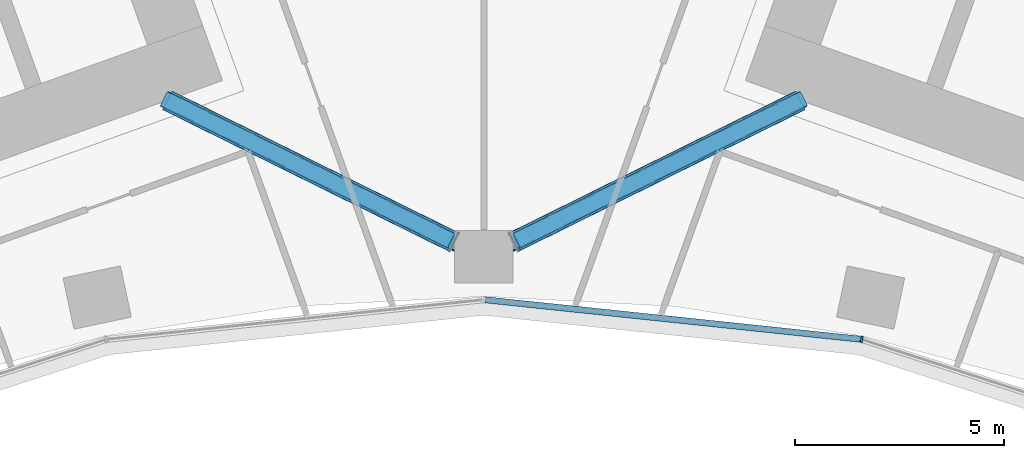
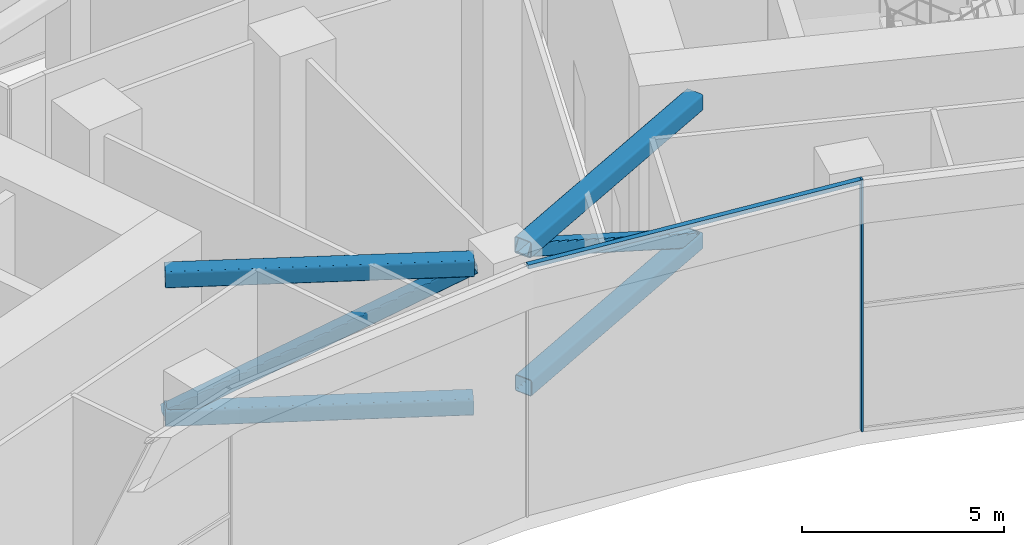
# One storey, part 6 of 33: 8 members, 1 element without a shape of its own.
"""IFC4 building model written with IfcOpenShell, lengths in metres."""

from ifc_helpers import new_model, si_unit, direction, frame, origin, origin_2d, place, context, subcontext, project, spatial, rectangle, hollow_rectangle, extrude, material, layer, layer_set, material_profile, profile_set, type_object, element, aggregate, save


model = new_model("IFC4")

# Units and contexts
model_context = context("Model", 3, precision=1e-05, world=origin(), true_north=direction((0.0, 1.0)))
body_context = subcontext(model_context, "Body", "Model", "MODEL_VIEW")
ifc_project = project(units=[si_unit("LENGTHUNIT", "METRE"), si_unit("AREAUNIT", "SQUARE_METRE"), si_unit("VOLUMEUNIT", "CUBIC_METRE"), si_unit("PLANEANGLEUNIT", "RADIAN"), si_unit("MASSUNIT", "GRAM", prefix="KILO")], contexts=[model_context])

# Site, building, storey
site_placement = place(None, origin())
site = spatial("IfcSite", under=ifc_project, at=site_placement, CompositionType="ELEMENT")
building_placement = place(site_placement, origin())
building = spatial("IfcBuilding", under=site, at=building_placement, Name="Stone Belt Terrace Tower", CompositionType="ELEMENT")
storey_placement = place(building_placement, frame((0.0, 0.0, 79.39990234375)))
storey = spatial("IfcBuildingStorey", under=building, at=storey_placement, Name="L19", CompositionType="ELEMENT", Elevation=79.39990234375)

# Curtain wall, members
ifc_material_1 = material(Name="Aluminium 6063-T6 anodised frame", Category="aluminium")
ifc_layer = layer(ifc_material_1, 0.14990234375)
ifc_layer_set = layer_set([ifc_layer], Name="CW-B unitised concave-face curtain wall")
curtain_wall_type = type_object("IfcCurtainWallType", Name="CW-B unitised concave-face curtain wall", PredefinedType="NOTDEFINED", material=ifc_layer_set)
curtain_wall_placement = place(storey_placement, origin())
curtain_wall = element("IfcCurtainWall", 1, at=curtain_wall_placement, inside=storey, type_object=curtain_wall_type, Name="CW-B concave face L19", PredefinedType="NOTDEFINED")
ifc_material_profile_1 = material_profile(ifc_material_1, rectangle(XDim=0.14990234375, YDim=0.050048828125, at=origin_2d()), Name="Aluminium 6063-T6 50x150")
ifc_profile_set_1 = profile_set([ifc_material_profile_1], Name="Aluminium 6063-T6 anodised frame")
member_type_1 = type_object("IfcMemberType", Name="CW-B mullion 50 x 150", PredefinedType="MULLION", material=ifc_profile_set_1)
member_1_placement = place(storey_placement, frame((9.028564453125, 42.4755859375, 0.0), z_axis=(0.0, 0.0, 1.0), x_axis=(0.207911690818, 0.978147600734, 0.0)))
member_1 = element("IfcMember", 2, at=member_1_placement, type_object=member_type_1, Name="CW-B mullion 7", PredefinedType="MULLION", context=body_context, shape_type="SweptSolid", body=[
    extrude(rectangle(XDim=0.14990234375, YDim=0.050048828125, at=origin_2d()), origin(), (0.0, 0.0, 1.0), 7.60009765625),
])
ifc_material_profile_2 = material_profile(ifc_material_1, rectangle(XDim=0.14990234375, YDim=0.1201171875, at=origin_2d()), Name="Aluminium 6063-T6 150x120")
ifc_profile_set_2 = profile_set([ifc_material_profile_2], Name="Aluminium 6063-T6 anodised frame")
member_type_2 = type_object("IfcMemberType", Name="CW-B transom 120 x 150", PredefinedType="USERDEFINED", material=ifc_profile_set_2)
member_2_placement = place(storey_placement, frame((0.032470703125, 43.421142578125, 7.5400390625), z_axis=(0.994521323407, -0.104533904969, 0.0), x_axis=(0.104533904969, 0.994521323407, 0.0)))
member_2 = element("IfcMember", 3, at=member_2_placement, type_object=member_type_2, Name="CW-B transom 6.1", ObjectType="TRANSOM", PredefinedType="USERDEFINED", context=body_context, shape_type="SweptSolid", body=[
    extrude(rectangle(XDim=0.14990234375, YDim=0.1201171875, at=origin_2d()), origin(), (0.0, 0.0, 1.0), 9.0126953125),
])
aggregate(curtain_wall, [member_1, member_2])

# Members
ifc_material_2 = material(Name="Structural steel C345", Category="steel")
ifc_material_profile_3 = material_profile(ifc_material_2, hollow_rectangle(XDim=0.5, YDim=0.5, WallThickness=0.02001953125, InnerFilletRadius=0.0400390625, OuterFilletRadius=0.06005859375, at=origin_2d()), Name="SHS 500x500x20")
ifc_profile_set_3 = profile_set([ifc_material_profile_3], Name="Structural steel C345")
member_type_3 = type_object("IfcMemberType", Name="Outrigger chord SHS 500x500x20", PredefinedType="CHORD", material=ifc_profile_set_3)
member_3_placement = place(storey_placement, frame((-0.699951171875, 44.791259765625, 7.030029296875), z_axis=(-0.896382610658, 0.443281192145, 0.0), x_axis=(-0.443281192145, -0.896382610658, 0.0)))
element("IfcMember", 4, at=member_3_placement, inside=storey, type_object=member_type_3, Name="Outrigger T1 coreA-mid-P top chord 1", PredefinedType="CHORD", context=body_context, shape_type="SweptSolid", body=[
    extrude(hollow_rectangle(XDim=0.5, YDim=0.5, WallThickness=0.02001953125, InnerFilletRadius=0.0400390625, OuterFilletRadius=0.06005859375, at=origin_2d()), origin(), (0.0, 0.0, 1.0), 7.6572265625),
])
member_4_placement = place(storey_placement, frame((-0.718017578125, 44.800048828125, 2.85009765625), z_axis=(-0.896375057064, 0.443296466345, 0.0), x_axis=(-0.443296466345, -0.896375057064, 0.0)))
element("IfcMember", 5, at=member_4_placement, inside=storey, type_object=member_type_3, Name="Outrigger T1 coreA-mid-P bot chord 1", PredefinedType="CHORD", context=body_context, shape_type="SweptSolid", body=[
    extrude(hollow_rectangle(XDim=0.5, YDim=0.5, WallThickness=0.02001953125, InnerFilletRadius=0.0400390625, OuterFilletRadius=0.06005859375, at=origin_2d()), origin(), (0.0, 0.0, 1.0), 7.63720703125),
])
member_5_placement = place(storey_placement, frame((0.699951171875, 44.791259765625, 7.030029296875), z_axis=(0.896382610658, 0.443281192145, 0.0), x_axis=(-0.443281192145, 0.896382610658, 0.0)))
element("IfcMember", 6, at=member_5_placement, inside=storey, type_object=member_type_3, Name="Outrigger T1 coreB-mid-P top chord 1", PredefinedType="CHORD", context=body_context, shape_type="SweptSolid", body=[
    extrude(hollow_rectangle(XDim=0.5, YDim=0.5, WallThickness=0.02001953125, InnerFilletRadius=0.0400390625, OuterFilletRadius=0.06005859375, at=origin_2d()), origin(), (0.0, 0.0, 1.0), 7.6572265625),
])
member_6_placement = place(storey_placement, frame((0.718017578125, 44.800048828125, 2.85009765625), z_axis=(0.896375057064, 0.443296466345, 0.0), x_axis=(-0.443296466345, 0.896375057064, 0.0)))
element("IfcMember", 7, at=member_6_placement, inside=storey, type_object=member_type_3, Name="Outrigger T1 coreB-mid-P bot chord 1", PredefinedType="CHORD", context=body_context, shape_type="SweptSolid", body=[
    extrude(hollow_rectangle(XDim=0.5, YDim=0.5, WallThickness=0.02001953125, InnerFilletRadius=0.0400390625, OuterFilletRadius=0.06005859375, at=origin_2d()), origin(), (0.0, 0.0, 1.0), 7.63720703125),
])
ifc_material_profile_4 = material_profile(ifc_material_2, hollow_rectangle(XDim=0.39990234375, YDim=0.39990234375, WallThickness=0.01611328125, InnerFilletRadius=0.031982421875, OuterFilletRadius=0.048095703125, at=origin_2d()), Name="SHS 400x400x16")
ifc_profile_set_4 = profile_set([ifc_material_profile_4], Name="Structural steel C345")
member_type_4 = type_object("IfcMemberType", Name="Outrigger diagonal SHS 400x400x16", PredefinedType="BRACE", material=ifc_profile_set_4)
for number, where, z_axis, x_axis, name in (
    (8, (-0.699951171875, 44.791259765625, 7.030029296875), (-0.786788429085, 0.389084425182, -0.479142231428), (-0.443281192145, -0.896382610658, 0.0), "Outrigger T1 coreA-mid-P diagonal 1"),
    (9, (0.699951171875, 44.791259765625, 7.030029296875), (0.786788429085, 0.389084425182, -0.479142231428), (-0.443281192145, 0.896382610658, 0.0), "Outrigger T1 coreB-mid-P diagonal 1"),
):
    element("IfcMember", number, at=place(storey_placement, frame(where, z_axis=z_axis, x_axis=x_axis)), inside=storey, type_object=member_type_4, Name=name, PredefinedType="BRACE", context=body_context, shape_type="SweptSolid", body=[
        extrude(hollow_rectangle(XDim=0.39990234375, YDim=0.39990234375, WallThickness=0.01611328125, InnerFilletRadius=0.031982421875, OuterFilletRadius=0.048095703125, at=origin_2d()), origin(), (0.0, 0.0, 1.0), 8.723876953125),
    ])

save(model, "model.ifc")
